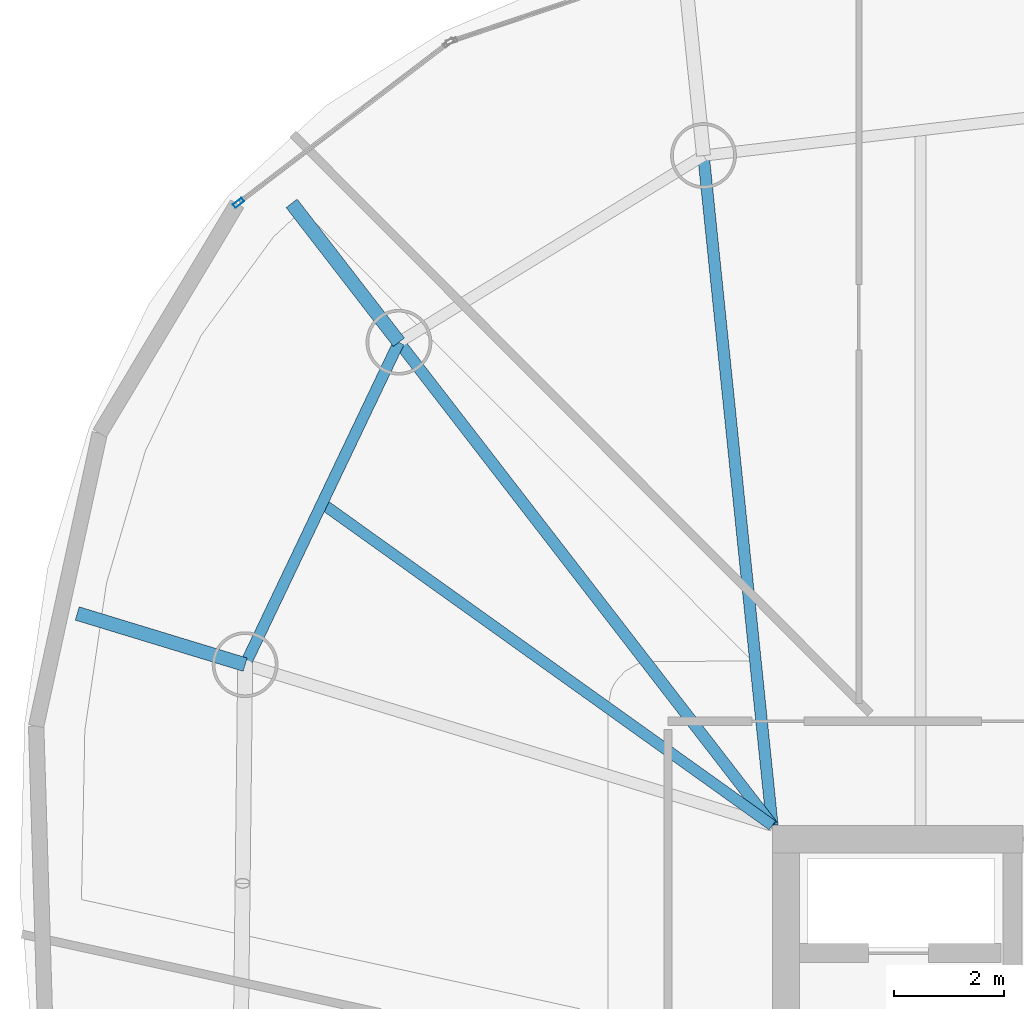
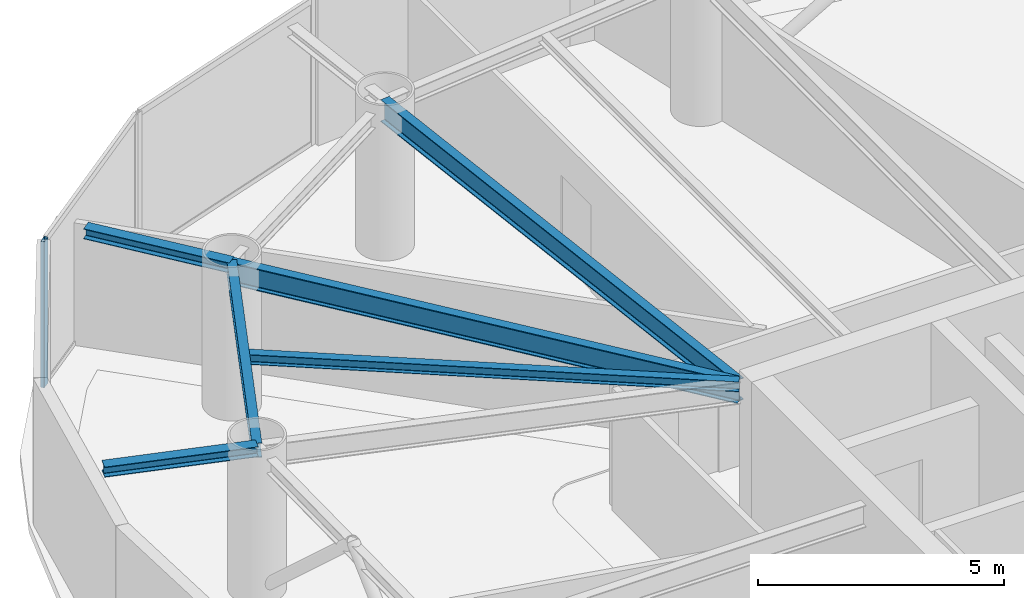
# One storey, part 9 of 19: 6 beams, 1 member, 1 element without a shape of its own.
"""IFC4 building model written with IfcOpenShell, lengths in metres."""

import ifcopenshell
import ifcopenshell.guid

model = None  # the IFC model being written
_history = None  # IfcOwnerHistory: only IFC2X3 demands one
_inside = {}  # id of a spatial element -> (the spatial element, [elements in it])
_under = {}  # id of a project, library or spatial element -> (it, [spatial elements below it])
_declared = {}  # id of a project -> (the project, [libraries it declares])
_typed = {}  # id of a type object -> (the type object, [elements of that type])
_made_of = {}  # id of a material, layer set ... -> (it, [elements and type objects made of it])


def new_model(schema):
    """Start an empty IFC model of exactly this schema.

    Asked for "IFC4X3", IfcOpenShell would pick the latest addendum, in which some entities
    have other attributes; the version numbers below select the first issue.
    IFC2X3 requires an IfcOwnerHistory on every rooted entity: one is made here for all.
    """
    global model, _history
    if schema == "IFC4X3":
        model = ifcopenshell.file(schema_version=(4, 3, 0, 0))
    else:
        model = ifcopenshell.file(schema=schema)
    _inside.clear()
    _under.clear()
    _declared.clear()
    _typed.clear()
    _made_of.clear()
    _history = None
    if model.schema == "IFC2X3":
        org = make("IfcOrganization", Name="unknown")
        user = make(
            "IfcPersonAndOrganization",
            ThePerson=make("IfcPerson", FamilyName="unknown"),
            TheOrganization=org,
        )
        app = make(
            "IfcApplication",
            ApplicationDeveloper=org,
            Version="unknown",
            ApplicationFullName="unknown",
            ApplicationIdentifier="unknown",
        )
        _history = make(
            "IfcOwnerHistory",
            OwningUser=user,
            OwningApplication=app,
            ChangeAction="ADDED",
            CreationDate=0,
        )
    return model


def make(cls, **values):
    """One entity of the class cls with the attributes given. An attribute that is None is left unset."""
    return model.create_entity(
        cls, **{name: value for name, value in values.items() if value is not None}
    )


def rooted(cls, **values):
    """An entity with a GlobalId (a new one), such as an element, a storey or a relation."""
    return make(cls, GlobalId=ifcopenshell.guid.new(), OwnerHistory=_history, **values)


def si_unit(unit_type, name, prefix=None):
    """IfcSIUnit, for example si_unit("LENGTHUNIT", "METRE", prefix="MILLI")."""
    return make("IfcSIUnit", UnitType=unit_type, Prefix=prefix, Name=name)


def assignment(units):
    """IfcUnitAssignment: the units of a project."""
    return None if units is None else make("IfcUnitAssignment", Units=units)


def point(xyz):
    """IfcCartesianPoint."""
    return None if xyz is None else make("IfcCartesianPoint", Coordinates=xyz)


def direction(xyz):
    """IfcDirection."""
    return None if xyz is None else make("IfcDirection", DirectionRatios=xyz)


def frame(location, z_axis=None, x_axis=None):
    """IfcAxis2Placement3D, a coordinate frame: its origin and axes. An axis left out is left unset."""
    return make(
        "IfcAxis2Placement3D",
        Location=point(location),
        Axis=direction(z_axis),
        RefDirection=direction(x_axis),
    )


def frame_2d(location, x_axis=None):
    """IfcAxis2Placement2D, a coordinate frame in the plane: its origin and x axis."""
    return make(
        "IfcAxis2Placement2D", Location=point(location), RefDirection=direction(x_axis)
    )


def origin():
    """The frame at (0, 0, 0) with its axes left unset."""
    return frame((0.0, 0.0, 0.0))


def origin_2d():
    """The frame at (0, 0) in the plane with its x axis left unset."""
    return frame_2d((0.0, 0.0))


def place(relative_to, where):
    """IfcLocalPlacement: puts the frame where relative to a parent placement (None: the world)."""
    return make(
        "IfcLocalPlacement", PlacementRelTo=relative_to, RelativePlacement=where
    )


def context(
    kind, dimensions, precision=None, world=None, true_north=None, identifier=None
):
    """IfcGeometricRepresentationContext, for example the 3D "Model" context."""
    return make(
        "IfcGeometricRepresentationContext",
        ContextIdentifier=identifier,
        ContextType=kind,
        CoordinateSpaceDimension=dimensions,
        Precision=precision,
        WorldCoordinateSystem=world,
        TrueNorth=true_north,
    )


def subcontext(parent, identifier, kind, view, scale=None):
    """IfcGeometricRepresentationSubContext, for example "Body" below "Model"."""
    return make(
        "IfcGeometricRepresentationSubContext",
        ContextIdentifier=identifier,
        ContextType=kind,
        ParentContext=parent,
        TargetScale=scale,
        TargetView=view,
    )


def project(units=None, contexts=None):
    """IfcProject with its units and contexts."""
    return rooted(
        "IfcProject",
        Name="project",
        RepresentationContexts=contexts,
        UnitsInContext=assignment(units),
    )


def spatial(cls, under=None, at=None, **own):
    """A site, building, storey or space (cls), placed at a placement, below another one or the project."""
    s = rooted(cls, ObjectPlacement=at, **own)
    if under is not None:
        _under.setdefault(under.id(), (under, []))[1].append(s)
    return s


def profile(cls, at=None, kind="AREA", **sizes):
    """A parametric profile (cls). Its sizes go by their IFC names, for example OverallWidth=200.0."""
    return make(cls, ProfileType=kind, Position=at, **sizes)


def hollow_rectangle(**sizes):
    """IfcRectangleHollowProfileDef."""
    return profile("IfcRectangleHollowProfileDef", **sizes)


def i_section(**sizes):
    """IfcIShapeProfileDef."""
    return profile("IfcIShapeProfileDef", **sizes)


def extrude(swept, where, along, depth):
    """IfcExtrudedAreaSolid: the profile swept, set in the frame where, extruded along a direction by depth."""
    return make(
        "IfcExtrudedAreaSolid",
        SweptArea=swept,
        Position=where,
        ExtrudedDirection=direction(along),
        Depth=depth,
    )


def shape(context_of_items, identifier, shape_type, items):
    """IfcShapeRepresentation: the items that make up one representation, for example the "Body"."""
    return make(
        "IfcShapeRepresentation",
        ContextOfItems=context_of_items,
        RepresentationIdentifier=identifier,
        RepresentationType=shape_type,
        Items=items,
    )


def material(Name=None, Category=None):
    """IfcMaterial."""
    return make("IfcMaterial", Name=Name, Category=Category)


def layer(
    of_material, thickness, ventilated=None, Name=None, Category=None, Priority=None
):
    """IfcMaterialLayer: one layer of a wall or slab, of a material (None: an air gap)."""
    return make(
        "IfcMaterialLayer",
        Material=of_material,
        LayerThickness=thickness,
        IsVentilated=ventilated,
        Name=Name,
        Category=Category,
        Priority=Priority,
    )


def layer_set(layers, Name=None):
    """IfcMaterialLayerSet."""
    return make("IfcMaterialLayerSet", MaterialLayers=layers, LayerSetName=Name)


def material_profile(
    of_material, cross_section, Name=None, Category=None, Priority=None
):
    """IfcMaterialProfile: a cross section and its material."""
    return make(
        "IfcMaterialProfile",
        Name=Name,
        Material=of_material,
        Profile=cross_section,
        Priority=Priority,
        Category=Category,
    )


def profile_set(profiles, Name=None, composite=None):
    """IfcMaterialProfileSet."""
    return make(
        "IfcMaterialProfileSet",
        Name=Name,
        MaterialProfiles=profiles,
        CompositeProfile=composite,
    )


def made_of(thing, what):
    """Note that an element or type object is made of a material, layer set ...; save() writes the relation."""
    if what is not None:
        _made_of.setdefault(what.id(), (what, []))[1].append(thing)
    return thing


def type_object(cls, material=None, **own):
    """A type object (cls), such as IfcWallType, which elements share."""
    return made_of(rooted(cls, **own), material)


def element(
    cls,
    number,
    at=None,
    inside=None,
    cuts=None,
    type_object=None,
    material=None,
    context=None,
    identifier="Body",
    shape_type=None,
    held_by="IfcProductDefinitionShape",
    body=None,
    shapes=None,
    **own,
):
    """One element of the class cls, such as IfcWall. Its Tag is "e" and its number.

    at: its placement. inside: the storey or other place that contains it. cuts: it is an
    opening in that element (IfcRelVoidsElement). A single representation is given by context,
    identifier, shape_type and body (its items); several are given by shapes. held_by: the class
    of the entity that holds the representations. save() writes the other relations.
    """
    e = rooted(cls, Tag="e%d" % number, ObjectPlacement=at, **own)
    if body is not None:
        shapes = [shape(context, identifier, shape_type, body)]
    if shapes is not None:
        e.Representation = make(held_by, Representations=shapes)
    if inside is not None:
        _inside.setdefault(inside.id(), (inside, []))[1].append(e)
    if cuts is not None:
        rooted(
            "IfcRelVoidsElement", RelatingBuildingElement=cuts, RelatedOpeningElement=e
        )
    if type_object is not None:
        _typed.setdefault(type_object.id(), (type_object, []))[1].append(e)
    return made_of(e, material)


def aggregate(whole, parts):
    """IfcRelAggregates: a whole, such as a stair, and the parts it consists of."""
    return rooted("IfcRelAggregates", RelatingObject=whole, RelatedObjects=parts)


def save(model, path):
    """Write the relations noted so far, then the file.

    IfcRelAggregates (storeys below a building ...), IfcRelContainedInSpatialStructure (elements
    in a storey), IfcRelDefinesByType, IfcRelAssociatesMaterial and IfcRelDeclares: one each for
    every whole, place, type object, material and project.
    """
    for whole, parts in _under.values():
        aggregate(whole, parts)
    for where, things in _inside.values():
        rooted(
            "IfcRelContainedInSpatialStructure",
            RelatedElements=things,
            RelatingStructure=where,
        )
    for kind, things in _typed.values():
        rooted("IfcRelDefinesByType", RelatedObjects=things, RelatingType=kind)
    for what, things in _made_of.values():
        rooted("IfcRelAssociatesMaterial", RelatedObjects=things, RelatingMaterial=what)
    for by, libraries in _declared.values():
        rooted("IfcRelDeclares", RelatingContext=by, RelatedDefinitions=libraries)
    model.write(path)


model = new_model("IFC4")

# Units and contexts
model_context = context("Model", 3, precision=1e-05, world=origin(), true_north=direction((0.0, 1.0)))
body_context = subcontext(model_context, "Body", "Model", "MODEL_VIEW")
ifc_project = project(units=[si_unit("LENGTHUNIT", "METRE"), si_unit("AREAUNIT", "SQUARE_METRE"), si_unit("VOLUMEUNIT", "CUBIC_METRE"), si_unit("PLANEANGLEUNIT", "RADIAN"), si_unit("MASSUNIT", "GRAM", prefix="KILO")], contexts=[model_context])

# Site, building, storey
site_placement = place(None, origin())
site = spatial("IfcSite", under=ifc_project, at=site_placement, CompositionType="ELEMENT")
building_placement = place(site_placement, origin())
building = spatial("IfcBuilding", under=site, at=building_placement, Name="Bramvorn Convention Spire", CompositionType="ELEMENT")
storey_placement = place(building_placement, frame((0.0, 0.0, 198.14990234375)))
storey = spatial("IfcBuildingStorey", under=building, at=storey_placement, Name="L50", CompositionType="ELEMENT", Elevation=198.14990234375)

# Beams
ifc_material_1 = material(Name="Steel CSA G40.21 Grade 350 (350W)", Category="steel")
ifc_material_profile_1 = material_profile(ifc_material_1, i_section(OverallWidth=0.201904296875, OverallDepth=0.2470703125, WebThickness=0.00732421875, FlangeThickness=0.010986328125, FilletRadius=0.011962890625, at=origin_2d()))
ifc_profile_set_1 = profile_set([ifc_material_profile_1], Name="Steel CSA G40.21 Grade 350 (350W) - W250X49")
beam_type_1 = type_object("IfcBeamType", Name="BM-W250X49", PredefinedType="JOIST", material=ifc_profile_set_1)
beam_1_placement = place(storey_placement, frame((26.75, 33.449951171875, 3.49658203125), z_axis=(-0.813471895271, 0.581604225916, 0.0), x_axis=(-0.581604225916, -0.813471895271, 0.0)))
element("IfcBeam", 1, at=beam_1_placement, inside=storey, type_object=beam_type_1, Name="L50 composite floor joist 09", PredefinedType="JOIST", context=body_context, shape_type="SweptSolid", body=[
    extrude(i_section(OverallWidth=0.201904296875, OverallDepth=0.2470703125, WebThickness=0.00732421875, FlangeThickness=0.010986328125, FilletRadius=0.011962890625, at=origin_2d()), origin(), (0.0, 0.0, 1.0), 10.093505859375),
])
ifc_material_profile_2 = material_profile(ifc_material_1, i_section(OverallWidth=0.25390625, OverallDepth=0.2529296875, WebThickness=0.008544921875, FlangeThickness=0.01416015625, FilletRadius=0.011962890625, at=origin_2d()))
ifc_profile_set_2 = profile_set([ifc_material_profile_2], Name="Steel CSA G40.21 Grade 350 (350W) - W250X73")
beam_type_2 = type_object("IfcBeamType", Name="BM-W250X73", PredefinedType="BEAM", material=ifc_profile_set_2)
beam_2_placement = place(storey_placement, frame((19.941650390625, 42.260009765625, 3.49365234375), z_axis=(-0.611497441422, 0.791246408607, 0.0), x_axis=(-0.791246408607, -0.611497441422, 0.0)))
element("IfcBeam", 2, at=beam_2_placement, inside=storey, type_object=beam_type_2, Name="L50 slab-edge cantilever tip beam MC09", PredefinedType="BEAM", context=body_context, shape_type="SweptSolid", body=[
    extrude(i_section(OverallWidth=0.25390625, OverallDepth=0.2529296875, WebThickness=0.008544921875, FlangeThickness=0.01416015625, FilletRadius=0.011962890625, at=origin_2d()), origin(), (0.0, 0.0, 1.0), 3.199951171875),
])
beam_3_placement = place(storey_placement, frame((17.136962890625, 36.380615234375, 3.49365234375), z_axis=(-0.956544433432, 0.291586602694, 0.0), x_axis=(-0.291586602694, -0.956544433432, 0.0)))
element("IfcBeam", 3, at=beam_3_placement, inside=storey, type_object=beam_type_2, Name="L50 slab-edge cantilever tip beam MC10", PredefinedType="BEAM", context=body_context, shape_type="SweptSolid", body=[
    extrude(i_section(OverallWidth=0.25390625, OverallDepth=0.2529296875, WebThickness=0.008544921875, FlangeThickness=0.01416015625, FilletRadius=0.011962890625, at=origin_2d()), origin(), (0.0, 0.0, 1.0), 3.2001953125),
])
ifc_material_profile_3 = material_profile(ifc_material_1, i_section(OverallWidth=0.205078125, OverallDepth=0.35400390625, WebThickness=0.009521484375, FlangeThickness=0.016845703125, FilletRadius=0.014892578125, at=origin_2d()))
ifc_profile_set_3 = profile_set([ifc_material_profile_3], Name="Steel CSA G40.21 Grade 350 (350W) - W360X79")
beam_type_3 = type_object("IfcBeamType", Name="BM-W360X79", PredefinedType="JOIST", material=ifc_profile_set_3)
beam_4_placement = place(storey_placement, frame((19.941650390625, 42.260009765625, 3.443115234375), z_axis=(-0.430556138422, -0.902563799223, 0.0), x_axis=(0.902563799223, -0.430556138422, 0.0)))
element("IfcBeam", 4, at=beam_4_placement, inside=storey, type_object=beam_type_3, Name="L50 mega-column ring beam 09", PredefinedType="JOIST", context=body_context, shape_type="SweptSolid", body=[
    extrude(i_section(OverallWidth=0.205078125, OverallDepth=0.35400390625, WebThickness=0.009521484375, FlangeThickness=0.016845703125, FilletRadius=0.014892578125, at=origin_2d()), origin(), (0.0, 0.0, 1.0), 6.51416015625),
])
ifc_material_profile_4 = material_profile(ifc_material_1, i_section(OverallWidth=0.2119140625, OverallDepth=0.5439453125, WebThickness=0.01318359375, FlangeThickness=0.021240234375, FilletRadius=0.01904296875, at=origin_2d()))
ifc_profile_set_4 = profile_set([ifc_material_profile_4], Name="Steel CSA G40.21 Grade 350 (350W) - W530X123")
beam_type_4 = type_object("IfcBeamType", Name="BM-W530X123", PredefinedType="BEAM", material=ifc_profile_set_4)
beam_5_placement = place(storey_placement, frame((26.75, 33.449951171875, 3.34814453125), z_axis=(-0.10216509146, 0.994767457292, 0.0), x_axis=(-0.994767457292, -0.10216509146, 0.0)))
element("IfcBeam", 5, at=beam_5_placement, inside=storey, type_object=beam_type_4, Name="L50 radial floor girder MC08", PredefinedType="BEAM", context=body_context, shape_type="SweptSolid", body=[
    extrude(i_section(OverallWidth=0.2119140625, OverallDepth=0.5439453125, WebThickness=0.01318359375, FlangeThickness=0.021240234375, FilletRadius=0.01904296875, at=origin_2d()), origin(), (0.0, 0.0, 1.0), 12.278076171875),
])
beam_6_placement = place(storey_placement, frame((26.75, 33.449951171875, 3.34814453125), z_axis=(-0.611479951477, 0.791259925019, 0.0), x_axis=(-0.791259925019, -0.611479951477, 0.0)))
element("IfcBeam", 6, at=beam_6_placement, inside=storey, type_object=beam_type_4, Name="L50 radial floor girder MC09", PredefinedType="BEAM", context=body_context, shape_type="SweptSolid", body=[
    extrude(i_section(OverallWidth=0.2119140625, OverallDepth=0.5439453125, WebThickness=0.01318359375, FlangeThickness=0.021240234375, FilletRadius=0.01904296875, at=origin_2d()), origin(), (0.0, 0.0, 1.0), 11.13427734375),
])

# Curtain wall, member
ifc_material_2 = material(Name="Anodised Bronze Unitised Curtain Wall", Category="aluminium")
ifc_layer = layer(ifc_material_2, 0.179931640625)
ifc_layer_set = layer_set([ifc_layer], Name="Anodised Bronze Unitised Curtain Wall - CW-OFF-FRIT")
curtain_wall_type = type_object("IfcCurtainWallType", Name="CW-OFF-FRIT", PredefinedType="USERDEFINED", material=ifc_layer_set)
curtain_wall_placement = place(storey_placement, origin())
curtain_wall = element("IfcCurtainWall", 7, at=curtain_wall_placement, inside=storey, type_object=curtain_wall_type, Name="L50 fritted glass curtain wall 12", ObjectType="UNITISED CURTAIN WALL", PredefinedType="USERDEFINED")
ifc_material_3 = material(Name="Anodised Bronze Aluminium 6063-T6", Category="aluminium")
ifc_material_profile_5 = material_profile(ifc_material_3, hollow_rectangle(XDim=0.080078125, YDim=0.199951171875, WallThickness=0.00390625, InnerFilletRadius=0.0009765625, OuterFilletRadius=0.00390625, at=origin_2d()))
ifc_profile_set_5 = profile_set([ifc_material_profile_5], Name="Anodised Bronze Aluminium 6063-T6 - CWM80X200")
member_type = type_object("IfcMemberType", Name="CW-MUL-180", PredefinedType="MULLION", material=ifc_profile_set_5)
member_placement = place(storey_placement, frame((17.016357421875, 44.801025390625, 0.0), z_axis=(0.0, 0.0, 1.0), x_axis=(-0.606450933935, 0.795120912018, 0.0)))
member = element("IfcMember", 8, at=member_placement, type_object=member_type, Name="CW3 mullion 1", PredefinedType="MULLION", context=body_context, shape_type="SweptSolid", body=[
    extrude(hollow_rectangle(XDim=0.080078125, YDim=0.199951171875, WallThickness=0.00390625, InnerFilletRadius=0.0009765625, OuterFilletRadius=0.00390625, at=origin_2d()), origin(), (0.0, 0.0, 1.0), 3.6201171875),
])
aggregate(curtain_wall, [member])

save(model, "model.ifc")
